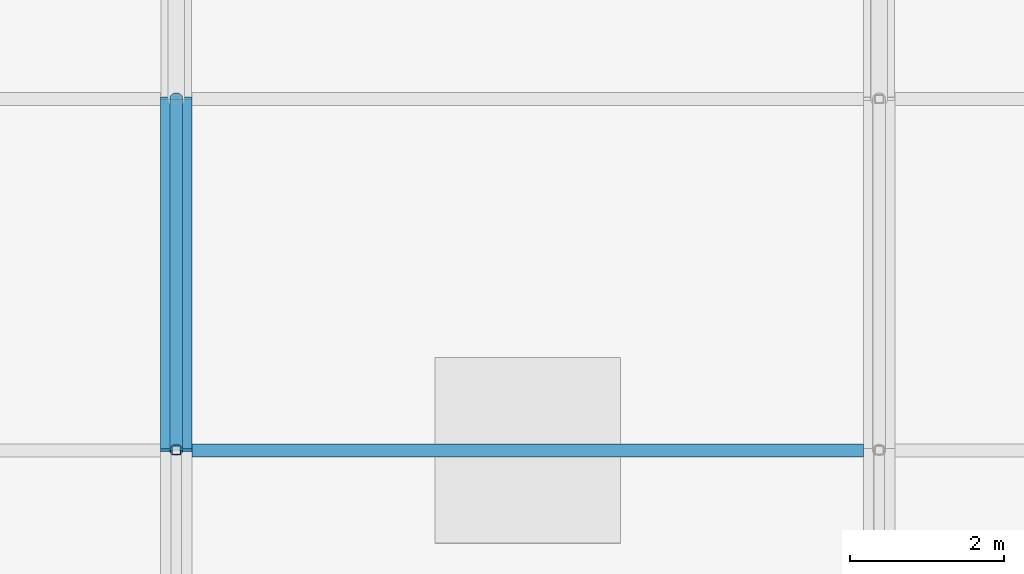
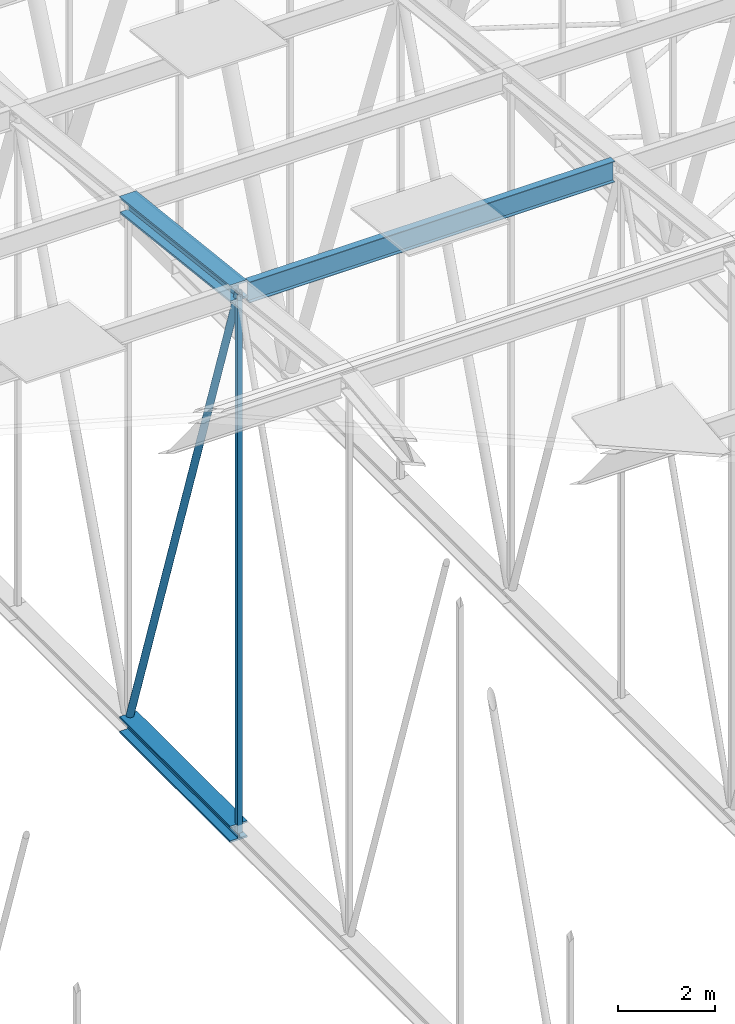
# One storey, part 258 of 500: 5 members.
"""IFC4 building model written with IfcOpenShell, lengths in metres."""

from ifc_helpers import new_model, si_unit, direction, frame, origin, origin_2d, place, context, subcontext, project, spatial, hollow_rectangle, hollow_circle, i_section, extrude, material, material_profile, profile_set, type_object, element, save


model = new_model("IFC4")

# Units and contexts
model_context = context("Model", 3, precision=1e-05, world=origin(), true_north=direction((0.0, 1.0)))
body_context = subcontext(model_context, "Body", "Model", "MODEL_VIEW")
ifc_project = project(units=[si_unit("LENGTHUNIT", "METRE"), si_unit("AREAUNIT", "SQUARE_METRE"), si_unit("VOLUMEUNIT", "CUBIC_METRE"), si_unit("PLANEANGLEUNIT", "RADIAN"), si_unit("MASSUNIT", "GRAM", prefix="KILO")], contexts=[model_context])

# Site, building, storey
site_placement = place(None, origin())
site = spatial("IfcSite", under=ifc_project, at=site_placement, CompositionType="ELEMENT")
building_placement = place(site_placement, origin())
building = spatial("IfcBuilding", under=site, at=building_placement, Name="Shirokan Park Arena", CompositionType="ELEMENT")
storey_placement = place(building_placement, frame((0.0, 0.0, 29.1201171875)))
storey = spatial("IfcBuildingStorey", under=building, at=storey_placement, Name="L06", CompositionType="ELEMENT", Elevation=29.1201171875)

# Members
ifc_material_1 = material(Name="Steel ASTM A992", Category="steel")
ifc_material_profile_1 = material_profile(ifc_material_1, i_section(OverallWidth=0.406005859375, OverallDepth=0.4169921875, WebThickness=0.030029296875, FlangeThickness=0.048095703125, at=origin_2d()), Name="W360X382")
ifc_profile_set_1 = profile_set([ifc_material_profile_1], Name="Steel ASTM A992")
member_type_1 = type_object("IfcMemberType", Name="Bottom chord W360X382", PredefinedType="CHORD", material=ifc_profile_set_1)
member_1_placement = place(storey_placement, frame((72.800048828125, 59.14990234375, 4.677001953125), z_axis=(0.0, 1.0, 0.0), x_axis=(-1.0, 0.0, 0.0)))
element("IfcMember", 1, at=member_1_placement, inside=storey, type_object=member_type_1, Name="Truss T09 bottom chord 16", PredefinedType="CHORD", context=body_context, shape_type="SweptSolid", body=[
    extrude(i_section(OverallWidth=0.406005859375, OverallDepth=0.4169921875, WebThickness=0.030029296875, FlangeThickness=0.048095703125, at=origin_2d()), origin(), (0.0, 0.0, 1.0), 4.550048828125),
])
ifc_material_profile_2 = material_profile(ifc_material_1, i_section(OverallWidth=0.166015625, OverallDepth=0.528076171875, WebThickness=0.009765625, FlangeThickness=0.013671875, at=origin_2d()), Name="W530X74")
ifc_profile_set_2 = profile_set([ifc_material_profile_2], Name="Steel ASTM A992")
member_type_2 = type_object("IfcMemberType", Name="Purlin W530X74", PredefinedType="PURLIN", material=ifc_profile_set_2)
member_2_placement = place(storey_placement, frame((73.0029296875, 59.14990234375, 18.205810546875), z_axis=(1.0, 0.0, 0.0), x_axis=(0.0, 1.0, 0.0)))
element("IfcMember", 2, at=member_2_placement, inside=storey, type_object=member_type_2, Name="Purlin 16 bay 9", PredefinedType="PURLIN", context=body_context, shape_type="SweptSolid", body=[
    extrude(i_section(OverallWidth=0.166015625, OverallDepth=0.528076171875, WebThickness=0.009765625, FlangeThickness=0.013671875, at=origin_2d()), origin(), (0.0, 0.0, 1.0), 8.694091796875),
])
ifc_material_profile_3 = material_profile(ifc_material_1, i_section(OverallWidth=0.406005859375, OverallDepth=0.4169921875, WebThickness=0.030029296875, FlangeThickness=0.048095703125, at=origin_2d()), Name="W360X382")
ifc_profile_set_3 = profile_set([ifc_material_profile_3], Name="Steel ASTM A992")
member_type_3 = type_object("IfcMemberType", Name="Top chord W360X382", PredefinedType="CHORD", material=ifc_profile_set_3)
member_3_placement = place(storey_placement, frame((72.800048828125, 59.14990234375, 18.261474609375), z_axis=(0.0, 0.993532328996, -0.113549598152), x_axis=(-1.0, 0.0, 0.0)))
element("IfcMember", 3, at=member_3_placement, inside=storey, type_object=member_type_3, Name="Truss T09 top chord 16", PredefinedType="CHORD", context=body_context, shape_type="SweptSolid", body=[
    extrude(i_section(OverallWidth=0.406005859375, OverallDepth=0.4169921875, WebThickness=0.030029296875, FlangeThickness=0.048095703125, at=origin_2d()), origin(), (0.0, 0.0, 1.0), 4.57958984375),
])
ifc_material_2 = material(Name="Steel ASTM A500 Grade C", Category="steel")
ifc_material_profile_4 = material_profile(ifc_material_2, hollow_circle(Radius=0.083984375, WallThickness=0.009521484375, at=origin_2d()), Name="HSS168.3X9.5")
ifc_profile_set_4 = profile_set([ifc_material_profile_4], Name="Steel ASTM A500 Grade C")
member_type_4 = type_object("IfcMemberType", Name="Truss diagonal HSS168.3X9.5", PredefinedType="BRACE", material=ifc_profile_set_4)
member_4_placement = place(storey_placement, frame((72.800048828125, 59.14990234375, 18.261474609375), z_axis=(0.0, 0.317602683872, -0.948223884532), x_axis=(-1.0, 0.0, 0.0)))
element("IfcMember", 4, at=member_4_placement, inside=storey, type_object=member_type_4, Name="Truss T09 diagonal 16", PredefinedType="BRACE", context=body_context, shape_type="SweptSolid", body=[
    extrude(hollow_circle(Radius=0.083984375, WallThickness=0.009521484375, at=origin_2d()), origin(), (0.0, 0.0, 1.0), 14.326171875),
])
ifc_material_profile_5 = material_profile(ifc_material_2, hollow_rectangle(XDim=0.114013671875, YDim=0.114013671875, WallThickness=0.00634765625, at=origin_2d()), Name="HSS114.3X114.3X6.4")
ifc_profile_set_5 = profile_set([ifc_material_profile_5], Name="Steel ASTM A500 Grade C")
member_type_5 = type_object("IfcMemberType", Name="Truss post HSS114.3X114.3X6.4", PredefinedType="POST", material=ifc_profile_set_5)
member_5_placement = place(storey_placement, frame((72.800048828125, 59.14990234375, 4.677001953125), z_axis=(0.0, 0.0, 1.0), x_axis=(1.0, 0.0, 0.0)))
element("IfcMember", 5, at=member_5_placement, inside=storey, type_object=member_type_5, Name="Truss T09 post 16", PredefinedType="POST", context=body_context, shape_type="SweptSolid", body=[
    extrude(hollow_rectangle(XDim=0.114013671875, YDim=0.114013671875, WallThickness=0.00634765625, at=origin_2d()), origin(), (0.0, 0.0, 1.0), 13.58447265625),
])

save(model, "model.ifc")
